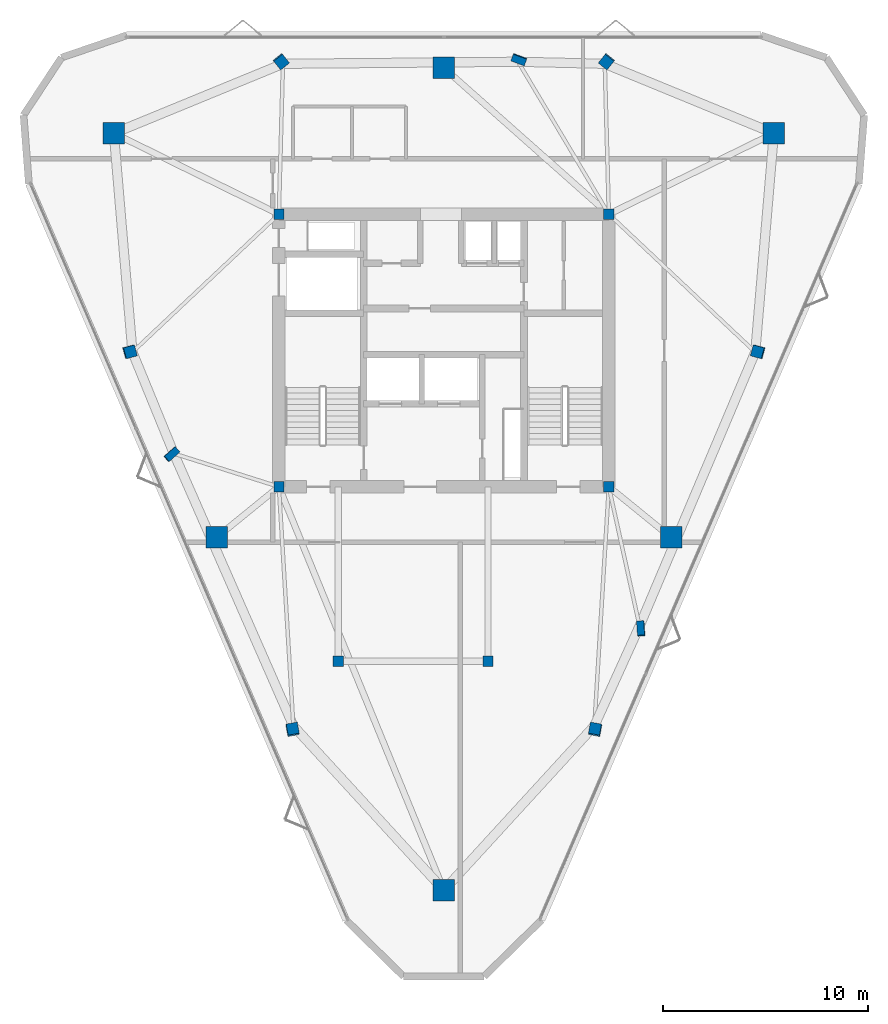
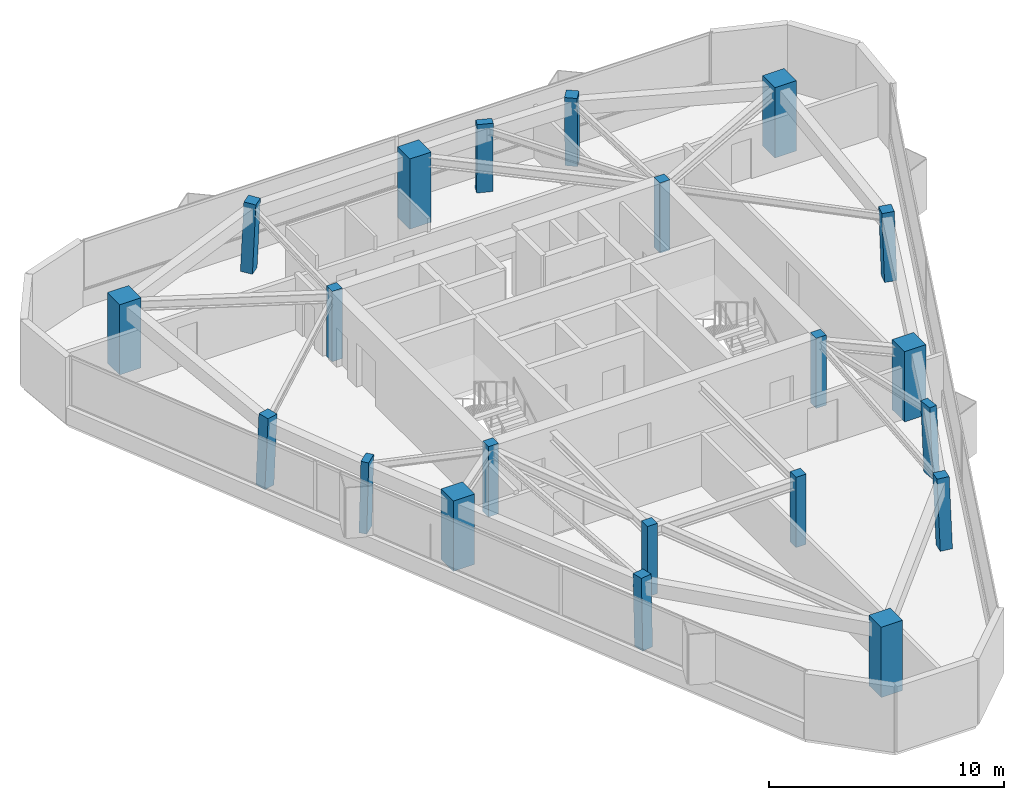
# One storey, part 1 of 9: 21 columns.
"""IFC4 building model written with IfcOpenShell, lengths in metres."""

from ifc_helpers import new_model, si_unit, direction, frame, origin, origin_2d, place, context, subcontext, project, spatial, rectangle, extrude, material, material_profile, profile_set, type_object, element, save


model = new_model("IFC4")

# Units and contexts
model_context = context("Model", 3, precision=1e-05, world=origin(), true_north=direction((0.0, 1.0)))
body_context = subcontext(model_context, "Body", "Model", "MODEL_VIEW")
ifc_project = project(units=[si_unit("LENGTHUNIT", "METRE"), si_unit("AREAUNIT", "SQUARE_METRE"), si_unit("VOLUMEUNIT", "CUBIC_METRE"), si_unit("PLANEANGLEUNIT", "RADIAN"), si_unit("MASSUNIT", "GRAM", prefix="KILO")], contexts=[model_context])

# Site, building, storey
site_placement = place(None, origin())
site = spatial("IfcSite", under=ifc_project, at=site_placement, CompositionType="ELEMENT")
building_placement = place(site_placement, origin())
building = spatial("IfcBuilding", under=site, at=building_placement, Name="Talyreon Biosciences Tower", CompositionType="ELEMENT")
storey_placement = place(building_placement, frame((0.0, 0.0, 309.35009765625)))
storey = spatial("IfcBuildingStorey", under=building, at=storey_placement, Name="L82", CompositionType="ELEMENT", Elevation=309.35009765625)

# Columns
ifc_material_1 = material(Name="Concrete C50/60", Category="concrete")
ifc_material_profile_1 = material_profile(ifc_material_1, rectangle(XDim=0.5, YDim=0.5, at=origin_2d()), Name="RC 500x500")
ifc_profile_set_1 = profile_set([ifc_material_profile_1], Name="Concrete C50/60")
column_type_1 = type_object("IfcColumnType", Name="CrownColumn_500", PredefinedType="COLUMN", material=ifc_profile_set_1)
for number, where, z_axis, x_axis, name in (
    (1, (57.949951171875, 61.35009765625, 0.0), (0.0, 0.0, 1.0), (1.0, 0.0, 0.0), "L82 Core Column CC1"),
    (2, (74.050048828125, 61.35009765625, 0.0), (0.0, 0.0, 1.0), (1.0, 0.0, 0.0), "L82 Core Column CC2"),
    (3, (74.050048828125, 74.64990234375, 0.0), (0.0, 0.0, 1.0), (1.0, 0.0, 0.0), "L82 Core Column CC3"),
    (4, (57.949951171875, 74.64990234375, 0.0), (0.0, 0.0, 1.0), (1.0, 0.0, 0.0), "L82 Core Column CC4"),
    (5, (60.85009765625, 52.840087890625, 0.0), (0.0, 0.0, 1.0), (1.0, 0.0, 0.0), "L82 Core Column CSW"),
    (6, (68.14990234375, 52.840087890625, 0.0), (0.0, 0.0, 1.0), (1.0, 0.0, 0.0), "L82 Core Column CSE"),
):
    element("IfcColumn", number, at=place(storey_placement, frame(where, z_axis=z_axis, x_axis=x_axis)), inside=storey, type_object=column_type_1, Name=name, PredefinedType="COLUMN", context=body_context, shape_type="SweptSolid", body=[
        extrude(rectangle(XDim=0.5, YDim=0.5, at=origin_2d()), origin(), (0.0, 0.0, 1.0), 3.64990234375),
    ])
ifc_material_2 = material(Name="Precast concrete C45/55", Category="concrete")
ifc_material_profile_2 = material_profile(ifc_material_2, rectangle(XDim=0.699951171875, YDim=0.35009765625, at=origin_2d()), Name="RC 700x350")
ifc_profile_set_2 = profile_set([ifc_material_profile_2], Name="Precast concrete C45/55")
column_type_2 = type_object("IfcColumnType", Name="FacadePilaster_700x350", PredefinedType="PILASTER", material=ifc_profile_set_2)
column_1_placement = place(storey_placement, frame((75.62109375, 54.4130859375, 0.0029296875), z_axis=(-0.019544994213, 0.038420639309, 0.999070491845), x_axis=(0.063447361759, -0.997199614014, 0.039589924164)))
element("IfcColumn", 7, at=column_1_placement, inside=storey, type_object=column_type_2, Name="L82 Facade Pilaster PL-SE", PredefinedType="PILASTER", context=body_context, shape_type="SweptSolid", body=[
    extrude(rectangle(XDim=0.699951171875, YDim=0.35009765625, at=origin_2d()), origin(), (0.0, 0.0, 1.0), 3.6474609375),
])
column_2_placement = place(storey_placement, frame((69.669189453125, 82.211181640625, 0.0029296875), z_axis=(-0.01238655289, -0.033544124313, 0.999360478022), x_axis=(-0.9380871136, 0.346399433166, 0.0)))
element("IfcColumn", 8, at=column_2_placement, inside=storey, type_object=column_type_2, Name="L82 Facade Pilaster PL-N", PredefinedType="PILASTER", context=body_context, shape_type="SweptSolid", body=[
    extrude(rectangle(XDim=0.699951171875, YDim=0.35009765625, at=origin_2d()), origin(), (0.0, 0.0, 1.0), 3.646484375),
])
column_3_placement = place(storey_placement, frame((52.709716796875, 62.931640625, 0.0029296875), z_axis=(0.032006431603, 0.010646490847, 0.99943095838), x_axis=(0.746119267629, 0.665091220733, -0.030979131316)))
element("IfcColumn", 9, at=column_3_placement, inside=storey, type_object=column_type_2, Name="L82 Facade Pilaster PL-SW", PredefinedType="PILASTER", context=body_context, shape_type="SweptSolid", body=[
    extrude(rectangle(XDim=0.699951171875, YDim=0.35009765625, at=origin_2d()), origin(), (0.0, 0.0, 1.0), 3.64599609375),
])
ifc_material_profile_3 = material_profile(ifc_material_1, rectangle(XDim=1.050048828125, YDim=1.050048828125, at=origin_2d()), Name="RC 1050x1050")
ifc_profile_set_3 = profile_set([ifc_material_profile_3], Name="Concrete C50/60")
column_type_3 = type_object("IfcColumnType", Name="MegaColumn_1050", PredefinedType="COLUMN", material=ifc_profile_set_3)
for number, where, z_axis, x_axis, name in (
    (10, (66.0, 41.6669921875, 0.0), (0.0, 0.0, 1.0), (1.0, 0.0, 0.0), "L82 Composite Mega-Column MC1"),
    (11, (82.102294921875, 78.5986328125, 0.0), (0.0, 0.0, 1.0), (1.0, 0.0, 0.0), "L82 Composite Mega-Column MC2"),
    (12, (49.897705078125, 78.5986328125, 0.0), (0.0, 0.0, 1.0), (1.0, 0.0, 0.0), "L82 Composite Mega-Column MC3"),
    (13, (77.086181640625, 58.88037109375, 0.0), (0.0, 0.0, 1.0), (1.0, 0.0, 0.0), "L82 Composite Mega-Column MC4"),
    (14, (66.0, 81.788818359375, 0.0), (0.0, 0.0, 1.0), (1.0, 0.0, 0.0), "L82 Composite Mega-Column MC5"),
    (15, (54.913818359375, 58.88037109375, 0.0), (0.0, 0.0, 1.0), (1.0, 0.0, 0.0), "L82 Composite Mega-Column MC6"),
):
    element("IfcColumn", number, at=place(storey_placement, frame(where, z_axis=z_axis, x_axis=x_axis)), inside=storey, type_object=column_type_3, Name=name, PredefinedType="COLUMN", context=body_context, shape_type="SweptSolid", body=[
        extrude(rectangle(XDim=1.050048828125, YDim=1.050048828125, at=origin_2d()), origin(), (0.0, 0.0, 1.0), 3.64990234375),
    ])
ifc_material_profile_4 = material_profile(ifc_material_1, rectangle(XDim=0.550048828125, YDim=0.550048828125, at=origin_2d()), Name="RC 550x550")
ifc_profile_set_4 = profile_set([ifc_material_profile_4], Name="Concrete C50/60")
column_type_4 = type_object("IfcColumnType", Name="PerimeterColumn_550", PredefinedType="COLUMN", material=ifc_profile_set_4)
column_4_placement = place(storey_placement, frame((73.388916015625, 49.4833984375, 0.0029296875), z_axis=(-0.012375051005, 0.054584008757, 0.998432493512), x_axis=(-0.183052959994, -0.981758262022, 0.051403587311)))
element("IfcColumn", 16, at=column_4_placement, inside=storey, type_object=column_type_4, Name="L82 Tapering Perimeter Column PC-SE1", PredefinedType="COLUMN", context=body_context, shape_type="SweptSolid", body=[
    extrude(rectangle(XDim=0.550048828125, YDim=0.550048828125, at=origin_2d()), origin(), (0.0, 0.0, 1.0), 3.649658203125),
])
column_5_placement = place(storey_placement, frame((81.3388671875, 67.9404296875, 0.0029296875), z_axis=(-0.039229522942, -0.005556400007, 0.999214777187), x_axis=(0.964112974693, -0.262986714988, 0.036389006152)))
element("IfcColumn", 17, at=column_5_placement, inside=storey, type_object=column_type_4, Name="L82 Tapering Perimeter Column PC-SE2", PredefinedType="COLUMN", context=body_context, shape_type="SweptSolid", body=[
    extrude(rectangle(XDim=0.550048828125, YDim=0.550048828125, at=origin_2d()), origin(), (0.0, 0.0, 1.0), 3.64697265625),
])
for number, where, z_axis, x_axis, name in (
    (18, (73.949951171875, 82.111083984375, 0.0029296875), (-0.026841136432, -0.033467751162, 0.999079307676), (-0.780107149771, 0.625645934116, 0.0), "L82 Tapering Perimeter Column PC-N1"),
    (19, (58.050048828125, 82.111083984375, 0.0029296875), (0.026841136432, -0.033467751162, 0.999079307676), (-0.780107149771, -0.625645934116, 0.0), "L82 Tapering Perimeter Column PC-N2"),
):
    element("IfcColumn", number, at=place(storey_placement, frame(where, z_axis=z_axis, x_axis=x_axis)), inside=storey, type_object=column_type_4, Name=name, PredefinedType="COLUMN", context=body_context, shape_type="SweptSolid", body=[
        extrude(rectangle(XDim=0.550048828125, YDim=0.550048828125, at=origin_2d()), origin(), (0.0, 0.0, 1.0), 3.6474609375),
    ])
column_6_placement = place(storey_placement, frame((50.6611328125, 67.9404296875, 0.0029296875), z_axis=(0.039229522942, -0.005556400007, 0.999214777187), x_axis=(0.964112974693, 0.262986714988, -0.036389006152)))
element("IfcColumn", 20, at=column_6_placement, inside=storey, type_object=column_type_4, Name="L82 Tapering Perimeter Column PC-SW1", PredefinedType="COLUMN", context=body_context, shape_type="SweptSolid", body=[
    extrude(rectangle(XDim=0.550048828125, YDim=0.550048828125, at=origin_2d()), origin(), (0.0, 0.0, 1.0), 3.64697265625),
])
column_7_placement = place(storey_placement, frame((58.611083984375, 49.4833984375, 0.0029296875), z_axis=(0.012375051005, 0.054584008757, 0.998432493512), x_axis=(-0.183052959994, 0.981758262022, -0.051403587311)))
element("IfcColumn", 21, at=column_7_placement, inside=storey, type_object=column_type_4, Name="L82 Tapering Perimeter Column PC-SW2", PredefinedType="COLUMN", context=body_context, shape_type="SweptSolid", body=[
    extrude(rectangle(XDim=0.550048828125, YDim=0.550048828125, at=origin_2d()), origin(), (0.0, 0.0, 1.0), 3.649658203125),
])

save(model, "model.ifc")
